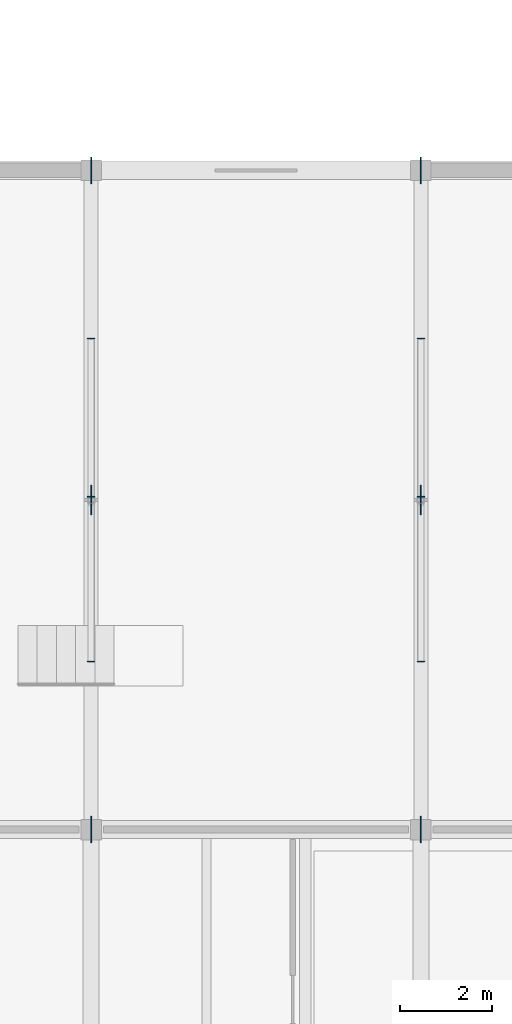
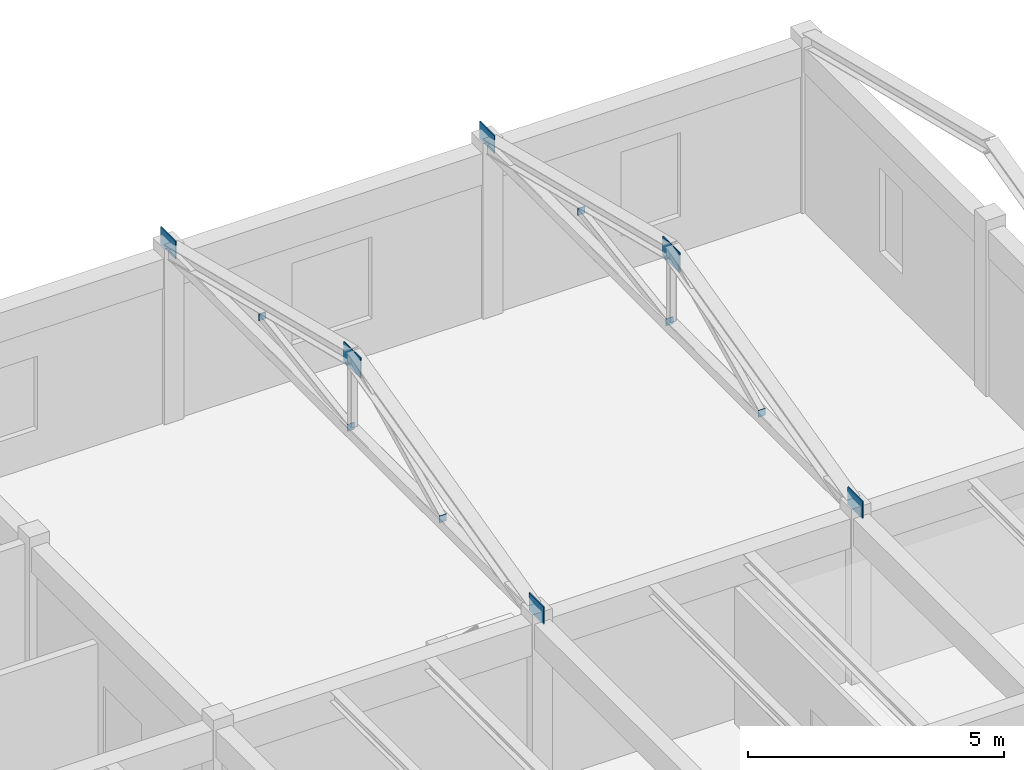
# One storey, part 94 of 136: 12 plates.
"""IFC4 building model written with IfcOpenShell, lengths in metres."""

import ifcopenshell
import ifcopenshell.guid

model = None  # the IFC model being written
_history = None  # IfcOwnerHistory: only IFC2X3 demands one
_inside = {}  # id of a spatial element -> (the spatial element, [elements in it])
_under = {}  # id of a project, library or spatial element -> (it, [spatial elements below it])
_declared = {}  # id of a project -> (the project, [libraries it declares])
_typed = {}  # id of a type object -> (the type object, [elements of that type])
_made_of = {}  # id of a material, layer set ... -> (it, [elements and type objects made of it])


def new_model(schema):
    """Start an empty IFC model of exactly this schema.

    Asked for "IFC4X3", IfcOpenShell would pick the latest addendum, in which some entities
    have other attributes; the version numbers below select the first issue.
    IFC2X3 requires an IfcOwnerHistory on every rooted entity: one is made here for all.
    """
    global model, _history
    if schema == "IFC4X3":
        model = ifcopenshell.file(schema_version=(4, 3, 0, 0))
    else:
        model = ifcopenshell.file(schema=schema)
    _inside.clear()
    _under.clear()
    _declared.clear()
    _typed.clear()
    _made_of.clear()
    _history = None
    if model.schema == "IFC2X3":
        org = make("IfcOrganization", Name="unknown")
        user = make(
            "IfcPersonAndOrganization",
            ThePerson=make("IfcPerson", FamilyName="unknown"),
            TheOrganization=org,
        )
        app = make(
            "IfcApplication",
            ApplicationDeveloper=org,
            Version="unknown",
            ApplicationFullName="unknown",
            ApplicationIdentifier="unknown",
        )
        _history = make(
            "IfcOwnerHistory",
            OwningUser=user,
            OwningApplication=app,
            ChangeAction="ADDED",
            CreationDate=0,
        )
    return model


def make(cls, **values):
    """One entity of the class cls with the attributes given. An attribute that is None is left unset."""
    return model.create_entity(
        cls, **{name: value for name, value in values.items() if value is not None}
    )


def rooted(cls, **values):
    """An entity with a GlobalId (a new one), such as an element, a storey or a relation."""
    return make(cls, GlobalId=ifcopenshell.guid.new(), OwnerHistory=_history, **values)


def si_unit(unit_type, name, prefix=None):
    """IfcSIUnit, for example si_unit("LENGTHUNIT", "METRE", prefix="MILLI")."""
    return make("IfcSIUnit", UnitType=unit_type, Prefix=prefix, Name=name)


def assignment(units):
    """IfcUnitAssignment: the units of a project."""
    return None if units is None else make("IfcUnitAssignment", Units=units)


def point(xyz):
    """IfcCartesianPoint."""
    return None if xyz is None else make("IfcCartesianPoint", Coordinates=xyz)


def direction(xyz):
    """IfcDirection."""
    return None if xyz is None else make("IfcDirection", DirectionRatios=xyz)


def frame(location, z_axis=None, x_axis=None):
    """IfcAxis2Placement3D, a coordinate frame: its origin and axes. An axis left out is left unset."""
    return make(
        "IfcAxis2Placement3D",
        Location=point(location),
        Axis=direction(z_axis),
        RefDirection=direction(x_axis),
    )


def frame_2d(location, x_axis=None):
    """IfcAxis2Placement2D, a coordinate frame in the plane: its origin and x axis."""
    return make(
        "IfcAxis2Placement2D", Location=point(location), RefDirection=direction(x_axis)
    )


def origin():
    """The frame at (0, 0, 0) with its axes left unset."""
    return frame((0.0, 0.0, 0.0))


def origin_2d():
    """The frame at (0, 0) in the plane with its x axis left unset."""
    return frame_2d((0.0, 0.0))


def place(relative_to, where):
    """IfcLocalPlacement: puts the frame where relative to a parent placement (None: the world)."""
    return make(
        "IfcLocalPlacement", PlacementRelTo=relative_to, RelativePlacement=where
    )


def context(
    kind, dimensions, precision=None, world=None, true_north=None, identifier=None
):
    """IfcGeometricRepresentationContext, for example the 3D "Model" context."""
    return make(
        "IfcGeometricRepresentationContext",
        ContextIdentifier=identifier,
        ContextType=kind,
        CoordinateSpaceDimension=dimensions,
        Precision=precision,
        WorldCoordinateSystem=world,
        TrueNorth=true_north,
    )


def subcontext(parent, identifier, kind, view, scale=None):
    """IfcGeometricRepresentationSubContext, for example "Body" below "Model"."""
    return make(
        "IfcGeometricRepresentationSubContext",
        ContextIdentifier=identifier,
        ContextType=kind,
        ParentContext=parent,
        TargetScale=scale,
        TargetView=view,
    )


def project(units=None, contexts=None):
    """IfcProject with its units and contexts."""
    return rooted(
        "IfcProject",
        Name="project",
        RepresentationContexts=contexts,
        UnitsInContext=assignment(units),
    )


def spatial(cls, under=None, at=None, **own):
    """A site, building, storey or space (cls), placed at a placement, below another one or the project."""
    s = rooted(cls, ObjectPlacement=at, **own)
    if under is not None:
        _under.setdefault(under.id(), (under, []))[1].append(s)
    return s


def profile(cls, at=None, kind="AREA", **sizes):
    """A parametric profile (cls). Its sizes go by their IFC names, for example OverallWidth=200.0."""
    return make(cls, ProfileType=kind, Position=at, **sizes)


def rectangle(**sizes):
    """IfcRectangleProfileDef."""
    return profile("IfcRectangleProfileDef", **sizes)


def extrude(swept, where, along, depth):
    """IfcExtrudedAreaSolid: the profile swept, set in the frame where, extruded along a direction by depth."""
    return make(
        "IfcExtrudedAreaSolid",
        SweptArea=swept,
        Position=where,
        ExtrudedDirection=direction(along),
        Depth=depth,
    )


def shape(context_of_items, identifier, shape_type, items):
    """IfcShapeRepresentation: the items that make up one representation, for example the "Body"."""
    return make(
        "IfcShapeRepresentation",
        ContextOfItems=context_of_items,
        RepresentationIdentifier=identifier,
        RepresentationType=shape_type,
        Items=items,
    )


def material(Name=None, Category=None):
    """IfcMaterial."""
    return make("IfcMaterial", Name=Name, Category=Category)


def layer(
    of_material, thickness, ventilated=None, Name=None, Category=None, Priority=None
):
    """IfcMaterialLayer: one layer of a wall or slab, of a material (None: an air gap)."""
    return make(
        "IfcMaterialLayer",
        Material=of_material,
        LayerThickness=thickness,
        IsVentilated=ventilated,
        Name=Name,
        Category=Category,
        Priority=Priority,
    )


def layer_set(layers, Name=None):
    """IfcMaterialLayerSet."""
    return make("IfcMaterialLayerSet", MaterialLayers=layers, LayerSetName=Name)


def made_of(thing, what):
    """Note that an element or type object is made of a material, layer set ...; save() writes the relation."""
    if what is not None:
        _made_of.setdefault(what.id(), (what, []))[1].append(thing)
    return thing


def type_object(cls, material=None, **own):
    """A type object (cls), such as IfcWallType, which elements share."""
    return made_of(rooted(cls, **own), material)


def element(
    cls,
    number,
    at=None,
    inside=None,
    cuts=None,
    type_object=None,
    material=None,
    context=None,
    identifier="Body",
    shape_type=None,
    held_by="IfcProductDefinitionShape",
    body=None,
    shapes=None,
    **own,
):
    """One element of the class cls, such as IfcWall. Its Tag is "e" and its number.

    at: its placement. inside: the storey or other place that contains it. cuts: it is an
    opening in that element (IfcRelVoidsElement). A single representation is given by context,
    identifier, shape_type and body (its items); several are given by shapes. held_by: the class
    of the entity that holds the representations. save() writes the other relations.
    """
    e = rooted(cls, Tag="e%d" % number, ObjectPlacement=at, **own)
    if body is not None:
        shapes = [shape(context, identifier, shape_type, body)]
    if shapes is not None:
        e.Representation = make(held_by, Representations=shapes)
    if inside is not None:
        _inside.setdefault(inside.id(), (inside, []))[1].append(e)
    if cuts is not None:
        rooted(
            "IfcRelVoidsElement", RelatingBuildingElement=cuts, RelatedOpeningElement=e
        )
    if type_object is not None:
        _typed.setdefault(type_object.id(), (type_object, []))[1].append(e)
    return made_of(e, material)


def aggregate(whole, parts):
    """IfcRelAggregates: a whole, such as a stair, and the parts it consists of."""
    return rooted("IfcRelAggregates", RelatingObject=whole, RelatedObjects=parts)


def save(model, path):
    """Write the relations noted so far, then the file.

    IfcRelAggregates (storeys below a building ...), IfcRelContainedInSpatialStructure (elements
    in a storey), IfcRelDefinesByType, IfcRelAssociatesMaterial and IfcRelDeclares: one each for
    every whole, place, type object, material and project.
    """
    for whole, parts in _under.values():
        aggregate(whole, parts)
    for where, things in _inside.values():
        rooted(
            "IfcRelContainedInSpatialStructure",
            RelatedElements=things,
            RelatingStructure=where,
        )
    for kind, things in _typed.values():
        rooted("IfcRelDefinesByType", RelatedObjects=things, RelatingType=kind)
    for what, things in _made_of.values():
        rooted("IfcRelAssociatesMaterial", RelatedObjects=things, RelatingMaterial=what)
    for by, libraries in _declared.values():
        rooted("IfcRelDeclares", RelatingContext=by, RelatedDefinitions=libraries)
    model.write(path)


model = new_model("IFC4")

# Units and contexts
model_context = context("Model", 3, precision=1e-05, world=origin(), true_north=direction((0.0, 1.0)))
body_context = subcontext(model_context, "Body", "Model", "MODEL_VIEW")
ifc_project = project(units=[si_unit("LENGTHUNIT", "METRE"), si_unit("AREAUNIT", "SQUARE_METRE"), si_unit("VOLUMEUNIT", "CUBIC_METRE"), si_unit("PLANEANGLEUNIT", "RADIAN"), si_unit("MASSUNIT", "GRAM", prefix="KILO")], contexts=[model_context])

# Site, building, storey
site_placement = place(None, origin())
site = spatial("IfcSite", under=ifc_project, at=site_placement, CompositionType="ELEMENT")
building_placement = place(site_placement, origin())
building = spatial("IfcBuilding", under=site, at=building_placement, Name="Koriwan Promenade Central Fire Station", CompositionType="ELEMENT")
storey_placement = place(building_placement, frame((0.0, 0.0, 5.39990234375)))
storey = spatial("IfcBuildingStorey", under=building, at=storey_placement, Name="L01", CompositionType="ELEMENT", Elevation=5.39990234375)

# Plates
ifc_material = material(Name="Steel ASTM A572 Grade 50", Category="steel")
ifc_layer_1 = layer(ifc_material, 0.01611328125, Name="Steel ASTM A572 Grade 50")
ifc_layer_set_1 = layer_set([ifc_layer_1], Name="Steel ASTM A572 Grade 50")
plate_type_1 = type_object("IfcPlateType", Name="EndCap_HSS150", PredefinedType="SHEET", material=ifc_layer_set_1)
for number, where, z_axis, x_axis, name in (
    (1, (21.60009765625, 10.872802734375, 3.984130859375), (0.0, 0.0, 1.0), (0.0, 1.0, 0.0), "TR_V3_02 web diagonal 2 end cap 1"),
    (2, (21.60009765625, 14.47216796875, 3.986328125), (0.0, 0.0, 1.0), (0.0, 1.0, 0.0), "TR_V3_02 web diagonal 3 end cap 1"),
    (3, (21.60009765625, 17.927978515625, 4.52880859375), (0.0, 0.0, 1.0), (0.0, 1.0, 0.0), "TR_V3_02 web diagonal 3 end cap 2"),
    (4, (28.800048828125, 10.872802734375, 3.984130859375), (0.0, 0.0, 1.0), (0.0, 1.0, 0.0), "TR_V3_03 web diagonal 2 end cap 1"),
    (5, (28.800048828125, 14.47216796875, 3.986328125), (0.0, 0.0, 1.0), (0.0, 1.0, 0.0), "TR_V3_03 web diagonal 3 end cap 1"),
    (6, (28.800048828125, 17.927978515625, 4.52880859375), (0.0, 0.0, 1.0), (0.0, 1.0, 0.0), "TR_V3_03 web diagonal 3 end cap 2"),
):
    element("IfcPlate", number, at=place(storey_placement, frame(where, z_axis=z_axis, x_axis=x_axis)), inside=storey, type_object=plate_type_1, Name=name, PredefinedType="SHEET", context=body_context, shape_type="SweptSolid", body=[
        extrude(rectangle(XDim=0.01611328125, YDim=0.1650390625, at=origin_2d()), origin(), (0.0, 0.0, 1.0), 0.1650390625),
    ])
ifc_layer_2 = layer(ifc_material, 0.419921875, Name="Steel ASTM A572 Grade 50")
ifc_layer_set_2 = layer_set([ifc_layer_2], Name="Steel ASTM A572 Grade 50")
plate_type_2 = type_object("IfcPlateType", Name="NodeGusset_Eave", PredefinedType="SHEET", material=ifc_layer_set_2)
for number, where, z_axis, x_axis, name in (
    (7, (21.60009765625, 7.199951171875, 3.93017578125), (0.0, 0.0, 1.0), (1.0, 0.0, 0.0), "TR_V3_02 eave node gusset TN-E1 (S)"),
    (8, (21.60009765625, 21.60009765625, 3.93017578125), (0.0, 0.0, 1.0), (1.0, 0.0, 0.0), "TR_V3_02 eave node gusset TN-E1 (N)"),
    (9, (28.800048828125, 7.199951171875, 3.93017578125), (0.0, 0.0, 1.0), (1.0, 0.0, 0.0), "TR_V3_03 eave node gusset TN-E1 (S)"),
    (10, (28.800048828125, 21.60009765625, 3.93017578125), (0.0, 0.0, 1.0), (1.0, 0.0, 0.0), "TR_V3_03 eave node gusset TN-E1 (N)"),
):
    element("IfcPlate", number, at=place(storey_placement, frame(where, z_axis=z_axis, x_axis=x_axis)), inside=storey, type_object=plate_type_2, Name=name, PredefinedType="SHEET", context=body_context, shape_type="SweptSolid", body=[
        extrude(rectangle(XDim=0.02197265625, YDim=0.580078125, at=origin_2d()), origin(), (0.0, 0.0, 1.0), 0.419921875),
    ])
ifc_layer_3 = layer(ifc_material, 0.47998046875, Name="Steel ASTM A572 Grade 50")
ifc_layer_set_3 = layer_set([ifc_layer_3], Name="Steel ASTM A572 Grade 50")
plate_type_3 = type_object("IfcPlateType", Name="NodeGusset_Ridge", PredefinedType="SHEET", material=ifc_layer_set_3)
for number, where, z_axis, x_axis, name in (
    (11, (21.60009765625, 14.39990234375, 5.47021484375), (0.0, 0.0, 1.0), (1.0, 0.0, 0.0), "TR_V3_02 ridge node gusset TN-R1"),
    (12, (28.800048828125, 14.39990234375, 5.47021484375), (0.0, 0.0, 1.0), (1.0, 0.0, 0.0), "TR_V3_03 ridge node gusset TN-R1"),
):
    element("IfcPlate", number, at=place(storey_placement, frame(where, z_axis=z_axis, x_axis=x_axis)), inside=storey, type_object=plate_type_3, Name=name, PredefinedType="SHEET", context=body_context, shape_type="SweptSolid", body=[
        extrude(rectangle(XDim=0.02392578125, YDim=0.64990234375, at=origin_2d()), origin(), (0.0, 0.0, 1.0), 0.47998046875),
    ])

save(model, "model.ifc")
